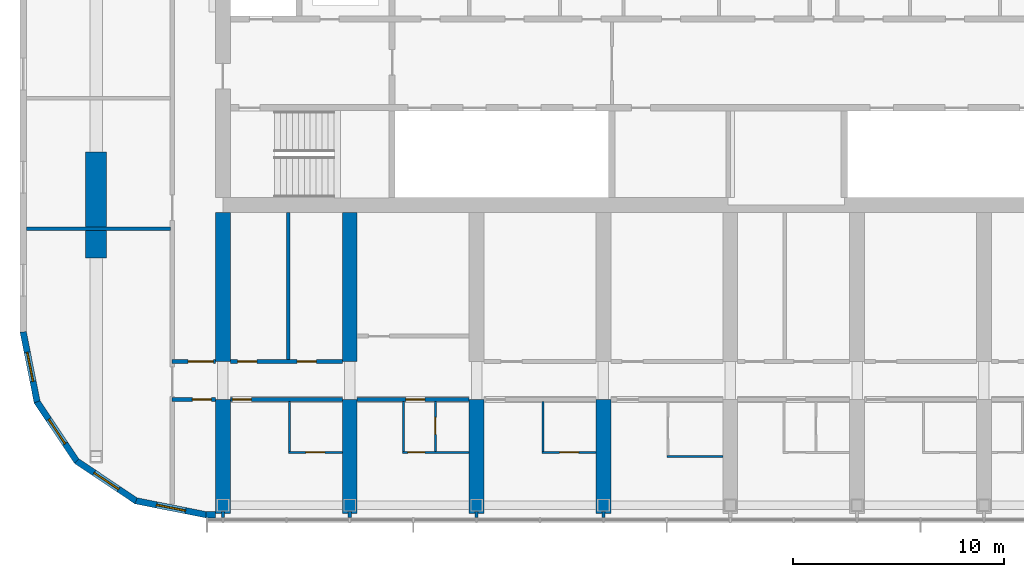
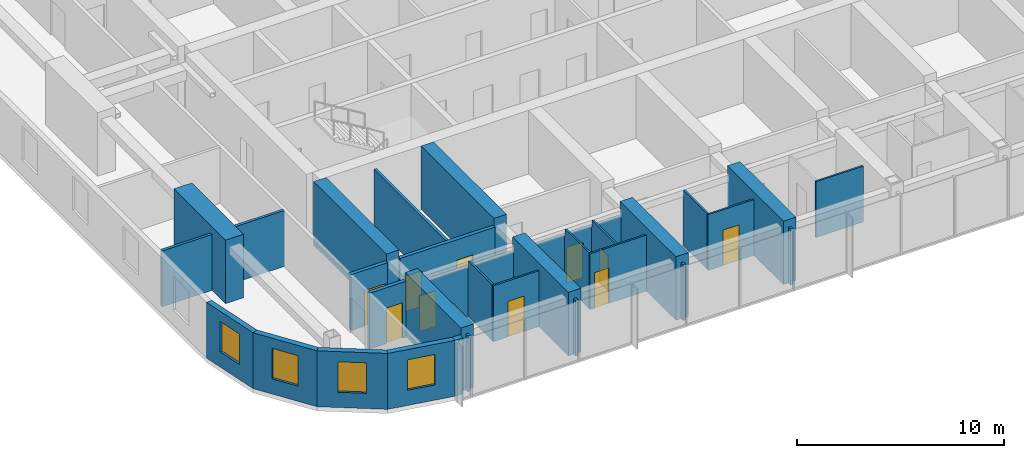
# One storey, part 10 of 23: 31 walls, 10 doors, 4 windows, 14 openings.
"""IFC4 building model written with IfcOpenShell, lengths in metres."""

from ifc_helpers import new_model, si_unit, direction, frame, frame_2d, origin, place, context, subcontext, project, spatial, polyline, rectangle, outline, extrude, material, layer, layer_set, type_object, element, fill, save


model = new_model("IFC4")

# Units and contexts
model_context = context("Model", 3, precision=1e-05, world=origin(), true_north=direction((0.0, 1.0)))
body_context = subcontext(model_context, "Body", "Model", "MODEL_VIEW")
ifc_project = project(units=[si_unit("LENGTHUNIT", "METRE"), si_unit("AREAUNIT", "SQUARE_METRE"), si_unit("VOLUMEUNIT", "CUBIC_METRE"), si_unit("PLANEANGLEUNIT", "RADIAN"), si_unit("MASSUNIT", "GRAM", prefix="KILO")], contexts=[model_context])

# Site, building, storey
site_placement = place(None, origin())
site = spatial("IfcSite", under=ifc_project, at=site_placement, CompositionType="ELEMENT")
building_placement = place(site_placement, origin())
building = spatial("IfcBuilding", under=site, at=building_placement, Name="Orbita Commons", CompositionType="ELEMENT")
storey_placement = place(building_placement, frame((0.0, 0.0, 212.800048828125)))
storey = spatial("IfcBuildingStorey", under=building, at=storey_placement, Name="L52", CompositionType="ELEMENT", Elevation=212.800048828125)

# Wall, opening, door
ifc_material_1 = material(Name="Concrete blockwork", Category="masonry")
ifc_layer_1 = layer(ifc_material_1, 0.199951171875)
ifc_layer_set_1 = layer_set([ifc_layer_1], Name="Concrete blockwork")
wall_type_1 = type_object("IfcWallType", Name="Corridor wall 200 blockwork", PredefinedType="SOLIDWALL", material=ifc_layer_set_1)
wall_1_placement = place(storey_placement, frame((15.60009765625, 16.60009765625, 0.0), z_axis=(0.0, 0.0, 1.0), x_axis=(1.0, 0.0, 0.0)))
wall_1 = element("IfcWall", 1, at=wall_1_placement, inside=storey, type_object=wall_type_1, Name="Corridor wall 200 blockwork L52", PredefinedType="SOLIDWALL", context=body_context, shape_type="SweptSolid", body=[
    extrude(rectangle(XDim=2.0498046875, YDim=0.199951171875, at=frame_2d((1.02490234375, 0.0))), origin(), (0.0, 0.0, 1.0), 3.300048828125),
])
opening_1_placement = place(wall_1_placement, frame((0.949951171875, 0.0, 0.0)))
opening_1 = element("IfcOpeningElement", 2, at=opening_1_placement, cuts=wall_1, Name="Opening D05", PredefinedType="OPENING", context=body_context, shape_type="SweptSolid", body=[
    extrude(rectangle(XDim=0.89990234375, YDim=2.10009765625, at=frame_2d((0.449951171875, 1.050048828125))), frame((0.0, 0.10986328125, 0.0), z_axis=(0.0, -1.0, 0.0), x_axis=(1.0, 0.0, 0.0)), (0.0, 0.0, 1.0), 0.219970703125),
])
ifc_material_2 = material(Name="Steel-faced fire door leaf", Category="steel")
door_type_1 = type_object("IfcDoorType", Name="Service door 20 min 900x2100", OperationType="SINGLE_SWING_LEFT", PredefinedType="DOOR", material=ifc_material_2)
door_1_placement = place(opening_1_placement, origin())
door_1 = element("IfcDoor", 3, at=door_1_placement, inside=storey, type_object=door_type_1, Name="Linen store L52-KWS door", OperationType="SINGLE_SWING_LEFT", OverallHeight=2.10009765625, OverallWidth=0.89990234375, PredefinedType="DOOR", context=body_context, shape_type="SweptSolid", body=[
    extrude(rectangle(XDim=0.89990234375, YDim=2.10009765625, at=frame_2d((0.449951171875, 1.050048828125))), frame((0.0, 0.02490234375, 0.0), z_axis=(0.0, -1.0, 0.0), x_axis=(1.0, 0.0, 0.0)), (0.0, 0.0, 1.0), 0.050048828125),
])
fill(opening_1, door_1)

wall_2_placement = place(storey_placement, frame((18.35009765625, 16.60009765625, 0.0), z_axis=(0.0, 0.0, 1.0), x_axis=(1.0, 0.0, 0.0)))
wall_2 = element("IfcWall", 4, at=wall_2_placement, inside=storey, type_object=wall_type_1, Name="Corridor wall 200 blockwork L52", PredefinedType="SOLIDWALL", context=body_context, shape_type="SweptSolid", body=[
    extrude(outline(polyline([(0.0, 0.0), (5.2998046875, 0.0), (5.300048828125, 2.89990234375), (0.0, 2.89990234375), (0.0, 0.0)])), frame((0.0, 0.10009765625, 0.0), z_axis=(0.0, -1.0, 0.0), x_axis=(1.0, 0.0, 0.0)), (0.0, 0.0, 1.0), 0.199951171875),
])
opening_2_placement = place(wall_2_placement, frame((0.10009765625, 0.0, 0.0)))
opening_2 = element("IfcOpeningElement", 5, at=opening_2_placement, cuts=wall_2, Name="Opening D11", PredefinedType="OPENING", context=body_context, shape_type="SweptSolid", body=[
    extrude(rectangle(XDim=0.89990234375, YDim=2.10009765625, at=frame_2d((0.449951171875, 1.050048828125))), frame((0.0, 0.10986328125, 0.0), z_axis=(0.0, -1.0, 0.0), x_axis=(1.0, 0.0, 0.0)), (0.0, 0.0, 1.0), 0.219970703125),
])
ifc_material_3 = material(Name="Steel-faced fire door leaf", Category="steel")
door_type_2 = type_object("IfcDoorType", Name="Corridor door 20 min 900x2100", OperationType="SINGLE_SWING_LEFT", PredefinedType="DOOR", material=ifc_material_3)
door_2_placement = place(opening_2_placement, origin())
door_2 = element("IfcDoor", 6, at=door_2_placement, inside=storey, type_object=door_type_2, Name="Studio apartment with kitchenette L52-S00 door", OperationType="SINGLE_SWING_LEFT", OverallHeight=2.10009765625, OverallWidth=0.89990234375, PredefinedType="DOOR", context=body_context, shape_type="SweptSolid", body=[
    extrude(rectangle(XDim=0.89990234375, YDim=2.10009765625, at=frame_2d((0.449951171875, 1.050048828125))), frame((0.0, 0.02490234375, 0.0), z_axis=(0.0, -1.0, 0.0), x_axis=(1.0, 0.0, 0.0)), (0.0, 0.0, 1.0), 0.050048828125),
])
fill(opening_2, door_2)

wall_3_placement = place(storey_placement, frame((24.35009765625, 16.60009765625, 0.0), z_axis=(0.0, 0.0, 1.0), x_axis=(1.0, 0.0, 0.0)))
wall_3 = element("IfcWall", 7, at=wall_3_placement, inside=storey, type_object=wall_type_1, Name="Corridor wall 200 blockwork L52", PredefinedType="SOLIDWALL", context=body_context, shape_type="SweptSolid", body=[
    extrude(outline(polyline([(0.0, 0.0), (5.2998046875, 0.0), (5.300048828125, 2.89990234375), (0.0, 2.89990234375), (0.0, 0.0)])), frame((0.0, 0.10009765625, 0.0), z_axis=(0.0, -1.0, 0.0), x_axis=(1.0, 0.0, 0.0)), (0.0, 0.0, 1.0), 0.199951171875),
])
opening_3_placement = place(wall_3_placement, frame((2.300048828125, 0.0, 0.0)))
opening_3 = element("IfcOpeningElement", 8, at=opening_3_placement, cuts=wall_3, Name="Opening D11", PredefinedType="OPENING", context=body_context, shape_type="SweptSolid", body=[
    extrude(rectangle(XDim=0.89990234375, YDim=2.10009765625, at=frame_2d((0.449951171875, 1.050048828125))), frame((0.0, 0.10986328125, 0.0), z_axis=(0.0, -1.0, 0.0), x_axis=(1.0, 0.0, 0.0)), (0.0, 0.0, 1.0), 0.219970703125),
])
door_3_placement = place(opening_3_placement, origin())
door_3 = element("IfcDoor", 9, at=door_3_placement, inside=storey, type_object=door_type_2, Name="Studio flat L52-S02 entrance door", OperationType="SINGLE_SWING_LEFT", OverallHeight=2.10009765625, OverallWidth=0.89990234375, PredefinedType="DOOR", context=body_context, shape_type="SweptSolid", body=[
    extrude(rectangle(XDim=0.89990234375, YDim=2.10009765625, at=frame_2d((0.449951171875, 1.050048828125))), frame((0.0, 0.02490234375, 0.0), z_axis=(0.0, -1.0, 0.0), x_axis=(1.0, 0.0, 0.0)), (0.0, 0.0, 1.0), 0.050048828125),
])
fill(opening_3, door_3)

ifc_material_4 = material(Name="Hollow concrete block 200", Category="concrete")
ifc_layer_2 = layer(ifc_material_4, 0.199951171875)
ifc_layer_set_2 = layer_set([ifc_layer_2], Name="Hollow concrete block 200")
wall_type_2 = type_object("IfcWallType", Name="Corridor wall 200 hollow concrete block", PredefinedType="SOLIDWALL", material=ifc_layer_set_2)
wall_4_placement = place(storey_placement, frame((15.60009765625, 18.39990234375, 0.0), z_axis=(0.0, 0.0, 1.0), x_axis=(1.0, 0.0, 0.0)))
wall_4 = element("IfcWall", 10, at=wall_4_placement, inside=storey, type_object=wall_type_2, Name="Corridor wall 200 hollow concrete block L52", PredefinedType="SOLIDWALL", context=body_context, shape_type="SweptSolid", body=[
    extrude(rectangle(XDim=2.0498046875, YDim=0.199951171875, at=frame_2d((1.02490234375, 0.0))), origin(), (0.0, 0.0, 1.0), 3.300048828125),
])
opening_4_placement = place(wall_4_placement, frame((0.75, 0.0, 0.0)))
opening_4 = element("IfcOpeningElement", 11, at=opening_4_placement, cuts=wall_4, Name="Opening D12", PredefinedType="OPENING", context=body_context, shape_type="SweptSolid", body=[
    extrude(rectangle(XDim=1.199951171875, YDim=2.10009765625, at=frame_2d((0.60009765625, 1.050048828125))), frame((0.0, 0.10986328125, 0.0), z_axis=(0.0, -1.0, 0.0), x_axis=(1.0, 0.0, 0.0)), (0.0, 0.0, 1.0), 0.219970703125),
])
ifc_material_5 = material(Name="Steel-faced fire door leaf", Category="steel")
door_type_3 = type_object("IfcDoorType", Name="Double corridor door 20 min 1200x2100", OperationType="DOUBLE_DOOR_SINGLE_SWING", PredefinedType="DOOR", material=ifc_material_5)
door_4_placement = place(opening_4_placement, origin())
door_4 = element("IfcDoor", 12, at=door_4_placement, inside=storey, type_object=door_type_3, Name="Cross corridor doors", OperationType="DOUBLE_DOOR_SINGLE_SWING", OverallHeight=2.10009765625, OverallWidth=1.199951171875, PredefinedType="DOOR", context=body_context, shape_type="SweptSolid", body=[
    extrude(rectangle(XDim=1.199951171875, YDim=2.10009765625, at=frame_2d((0.60009765625, 1.050048828125))), frame((0.0, 0.02490234375, 0.0), z_axis=(0.0, -1.0, 0.0), x_axis=(1.0, 0.0, 0.0)), (0.0, 0.0, 1.0), 0.050048828125),
])
fill(opening_4, door_4)

# Wall, openings, doors
wall_5_placement = place(storey_placement, frame((18.35009765625, 18.39990234375, 0.0), z_axis=(0.0, 0.0, 1.0), x_axis=(1.0, 0.0, 0.0)))
wall_5 = element("IfcWall", 13, at=wall_5_placement, inside=storey, type_object=wall_type_2, Name="Corridor wall 200 hollow concrete block L52", PredefinedType="SOLIDWALL", context=body_context, shape_type="SweptSolid", body=[
    extrude(rectangle(XDim=5.2998046875, YDim=0.199951171875, at=frame_2d((2.64990234375, 0.0))), origin(), (0.0, 0.0, 1.0), 3.300048828125),
])
opening_5_placement = place(wall_5_placement, frame((0.35009765625, 0.0, 0.0)))
opening_5 = element("IfcOpeningElement", 14, at=opening_5_placement, cuts=wall_5, Name="Opening D11", PredefinedType="OPENING", context=body_context, shape_type="SweptSolid", body=[
    extrude(rectangle(XDim=0.89990234375, YDim=2.10009765625, at=frame_2d((0.449951171875, 1.050048828125))), frame((0.0, 0.10986328125, 0.0), z_axis=(0.0, -1.0, 0.0), x_axis=(1.0, 0.0, 0.0)), (0.0, 0.0, 1.0), 0.219970703125),
])
opening_6_placement = place(wall_5_placement, frame((3.1650390625, 0.0, 0.0)))
opening_6 = element("IfcOpeningElement", 15, at=opening_6_placement, cuts=wall_5, Name="Opening D11", PredefinedType="OPENING", context=body_context, shape_type="SweptSolid", body=[
    extrude(rectangle(XDim=0.89990234375, YDim=2.10009765625, at=frame_2d((0.449951171875, 1.050048828125))), frame((0.0, 0.10986328125, 0.0), z_axis=(0.0, -1.0, 0.0), x_axis=(1.0, 0.0, 0.0)), (0.0, 0.0, 1.0), 0.219970703125),
])
door_5_placement = place(opening_5_placement, origin())
door_5 = element("IfcDoor", 16, at=door_5_placement, inside=storey, type_object=door_type_2, Name="Accessible WC and shower room L52-BDS18n door", OperationType="SINGLE_SWING_LEFT", OverallHeight=2.10009765625, OverallWidth=0.89990234375, PredefinedType="DOOR", context=body_context, shape_type="SweptSolid", body=[
    extrude(rectangle(XDim=0.89990234375, YDim=2.10009765625, at=frame_2d((0.449951171875, 1.050048828125))), frame((0.0, 0.02490234375, 0.0), z_axis=(0.0, -1.0, 0.0), x_axis=(1.0, 0.0, 0.0)), (0.0, 0.0, 1.0), 0.050048828125),
])
fill(opening_5, door_5)
door_6_placement = place(opening_6_placement, origin())
door_6 = element("IfcDoor", 17, at=door_6_placement, inside=storey, type_object=door_type_2, Name="Meeting room L52-BDS18 door", OperationType="SINGLE_SWING_LEFT", OverallHeight=2.10009765625, OverallWidth=0.89990234375, PredefinedType="DOOR", context=body_context, shape_type="SweptSolid", body=[
    extrude(rectangle(XDim=0.89990234375, YDim=2.10009765625, at=frame_2d((0.449951171875, 1.050048828125))), frame((0.0, 0.02490234375, 0.0), z_axis=(0.0, -1.0, 0.0), x_axis=(1.0, 0.0, 0.0)), (0.0, 0.0, 1.0), 0.050048828125),
])
fill(opening_6, door_6)

# Walls
ifc_material_6 = material(Name="Concrete C50/60", Category="concrete")
ifc_layer_3 = layer(ifc_material_6, 0.699951171875)
ifc_layer_set_3 = layer_set([ifc_layer_3], Name="Concrete C50/60")
wall_type_3 = type_object("IfcWallType", Name="Cross wall 700 C50/60", PredefinedType="SHEAR", material=ifc_layer_set_3)
wall_6_placement = place(storey_placement, frame((18.0, 11.199951171875, 0.0), z_axis=(0.0, 0.0, 1.0), x_axis=(0.0, 1.0, 0.0)))
element("IfcWall", 18, at=wall_6_placement, inside=storey, type_object=wall_type_3, Name="Cross wall 4 south outer L52", PredefinedType="SHEAR", context=body_context, shape_type="SweptSolid", body=[
    extrude(rectangle(XDim=5.400146484375, YDim=0.699951171875, at=frame_2d((2.7001953125, 0.0))), origin(), (0.0, 0.0, 1.0), 3.75),
])
wall_7_placement = place(storey_placement, frame((18.0, 18.39990234375, 0.0), z_axis=(0.0, 0.0, 1.0), x_axis=(0.0, 1.0, 0.0)))
element("IfcWall", 19, at=wall_7_placement, inside=storey, type_object=wall_type_3, Name="Cross wall 4 south inner L52", PredefinedType="SHEAR", context=body_context, shape_type="SweptSolid", body=[
    extrude(rectangle(XDim=7.050048828125, YDim=0.699951171875, at=frame_2d((3.52490234375, 0.0))), origin(), (0.0, 0.0, 1.0), 3.75),
])
wall_8_placement = place(storey_placement, frame((24.0, 11.199951171875, 0.0), z_axis=(0.0, 0.0, 1.0), x_axis=(0.0, 1.0, 0.0)))
element("IfcWall", 20, at=wall_8_placement, inside=storey, type_object=wall_type_3, Name="Cross wall 5 south outer L52", PredefinedType="SHEAR", context=body_context, shape_type="SweptSolid", body=[
    extrude(rectangle(XDim=5.400146484375, YDim=0.699951171875, at=frame_2d((2.7001953125, 0.0))), origin(), (0.0, 0.0, 1.0), 3.75),
])
wall_9_placement = place(storey_placement, frame((24.0, 18.39990234375, 0.0), z_axis=(0.0, 0.0, 1.0), x_axis=(0.0, 1.0, 0.0)))
element("IfcWall", 21, at=wall_9_placement, inside=storey, type_object=wall_type_3, Name="Cross wall 5 south inner L52", PredefinedType="SHEAR", context=body_context, shape_type="SweptSolid", body=[
    extrude(rectangle(XDim=7.050048828125, YDim=0.699951171875, at=frame_2d((3.52490234375, 0.0))), origin(), (0.0, 0.0, 1.0), 3.75),
])
for number, where, z_axis, x_axis, name in (
    (22, (30.0, 11.199951171875, 0.0), (0.0, 0.0, 1.0), (0.0, 1.0, 0.0), "Cross wall 6 south outer L52"),
    (23, (36.0, 11.199951171875, 0.0), (0.0, 0.0, 1.0), (0.0, 1.0, 0.0), "Cross wall 7 south outer L52"),
):
    element("IfcWall", number, at=place(storey_placement, frame(where, z_axis=z_axis, x_axis=x_axis)), inside=storey, type_object=wall_type_3, Name=name, PredefinedType="SHEAR", context=body_context, shape_type="SweptSolid", body=[
        extrude(rectangle(XDim=5.400146484375, YDim=0.699951171875, at=frame_2d((2.7001953125, 0.0))), origin(), (0.0, 0.0, 1.0), 3.75),
    ])

# Wall, opening, door
ifc_material_7 = material(Name="Moisture-resistant plasterboard on steel studs", Category="steel")
ifc_layer_4 = layer(ifc_material_7, 0.10009765625)
ifc_layer_set_4 = layer_set([ifc_layer_4], Name="Moisture-resistant plasterboard on steel studs")
wall_type_4 = type_object("IfcWallType", Name="En-suite partition 100", PredefinedType="PARTITIONING", material=ifc_layer_set_4)
wall_10_placement = place(storey_placement, frame((23.64990234375, 14.10009765625, 0.0), z_axis=(0.0, 0.0, 1.0), x_axis=(-1.0, 0.0, 0.0)))
wall_10 = element("IfcWall", 24, at=wall_10_placement, inside=storey, type_object=wall_type_4, Name="En-suite partition 100 L52", PredefinedType="PARTITIONING", context=body_context, shape_type="SweptSolid", body=[
    extrude(rectangle(XDim=2.5498046875, YDim=0.10009765625, at=frame_2d((1.27490234375, 0.0))), origin(), (0.0, 0.0, 1.0), 3.300048828125),
])
opening_7_placement = place(wall_10_placement, frame((0.824951171875, 0.0, 0.0)))
opening_7 = element("IfcOpeningElement", 25, at=opening_7_placement, cuts=wall_10, Name="Opening D09", PredefinedType="OPENING", context=body_context, shape_type="SweptSolid", body=[
    extrude(rectangle(XDim=0.89990234375, YDim=2.10009765625, at=frame_2d((0.449951171875, 1.050048828125))), frame((0.0, 0.06005859375, 0.0), z_axis=(0.0, -1.0, 0.0), x_axis=(1.0, 0.0, 0.0)), (0.0, 0.0, 1.0), 0.1201171875),
])
ifc_material_8 = material(Name="Laminated timber door leaf", Category="wood")
door_type_4 = type_object("IfcDoorType", Name="En-suite door 900x2100", OperationType="SINGLE_SWING_RIGHT", PredefinedType="DOOR", material=ifc_material_8)
door_7_placement = place(opening_7_placement, origin())
door_7 = element("IfcDoor", 26, at=door_7_placement, inside=storey, type_object=door_type_4, Name="En-suite L52-S00 door", OperationType="SINGLE_SWING_RIGHT", OverallHeight=2.10009765625, OverallWidth=0.89990234375, PredefinedType="DOOR", context=body_context, shape_type="SweptSolid", body=[
    extrude(rectangle(XDim=0.89990234375, YDim=2.10009765625, at=frame_2d((0.449951171875, 1.050048828125))), frame((0.0, 0.02490234375, 0.0), z_axis=(0.0, -1.0, 0.0), x_axis=(1.0, 0.0, 0.0)), (0.0, 0.0, 1.0), 0.050048828125),
])
fill(opening_7, door_7)

# Wall
wall_11_placement = place(storey_placement, frame((21.14990234375, 14.14990234375, 0.0), z_axis=(0.0, 0.0, 1.0), x_axis=(0.0, 1.0, 0.0)))
element("IfcWall", 27, at=wall_11_placement, inside=storey, type_object=wall_type_4, Name="En-suite partition 100 L52", PredefinedType="PARTITIONING", context=body_context, shape_type="SweptSolid", body=[
    extrude(outline(polyline([(0.0, 0.0), (2.35009765625, 0.0), (2.35009765625, 2.89990234375), (2.302001953125, 2.89990234375), (2.300048828125, 3.300048828125), (0.0, 3.300048828125), (0.0, 0.0)])), frame((0.0, 0.050048828125, 0.0), z_axis=(0.0, -1.0, 0.0), x_axis=(1.0, 0.0, 0.0)), (0.0, 0.0, 1.0), 0.10009765625),
])

# Wall, opening, door
wall_12_placement = place(storey_placement, frame((29.64990234375, 14.10009765625, 0.0), z_axis=(0.0, 0.0, 1.0), x_axis=(-1.0, 0.0, 0.0)))
wall_12 = element("IfcWall", 28, at=wall_12_placement, inside=storey, type_object=wall_type_4, Name="En-suite partition 100 L52", PredefinedType="PARTITIONING", context=body_context, shape_type="SweptSolid", body=[
    extrude(rectangle(XDim=3.14990234375, YDim=0.10009765625, at=frame_2d((1.574951171875, 0.0))), origin(), (0.0, 0.0, 1.0), 3.300048828125),
])
opening_8_placement = place(wall_12_placement, frame((2.10009765625, 0.0, 0.0)))
opening_8 = element("IfcOpeningElement", 29, at=opening_8_placement, cuts=wall_12, Name="Opening D16", PredefinedType="OPENING", context=body_context, shape_type="SweptSolid", body=[
    extrude(rectangle(XDim=0.800048828125, YDim=2.10009765625, at=frame_2d((0.39990234375, 1.050048828125))), frame((0.0, 0.06005859375, 0.0), z_axis=(0.0, -1.0, 0.0), x_axis=(1.0, 0.0, 0.0)), (0.0, 0.0, 1.0), 0.1201171875),
])
ifc_material_9 = material(Name="Laminated timber door leaf", Category="wood")
door_type_5 = type_object("IfcDoorType", Name="En-suite door 800x2100", OperationType="SINGLE_SWING_RIGHT", PredefinedType="DOOR", material=ifc_material_9)
door_8_placement = place(opening_8_placement, origin())
door_8 = element("IfcDoor", 30, at=door_8_placement, inside=storey, type_object=door_type_5, Name="Studio flat L52-S02 door", OperationType="SINGLE_SWING_RIGHT", OverallHeight=2.10009765625, OverallWidth=0.800048828125, PredefinedType="DOOR", context=body_context, shape_type="SweptSolid", body=[
    extrude(rectangle(XDim=0.800048828125, YDim=2.10009765625, at=frame_2d((0.39990234375, 1.050048828125))), frame((0.0, 0.02490234375, 0.0), z_axis=(0.0, -1.0, 0.0), x_axis=(1.0, 0.0, 0.0)), (0.0, 0.0, 1.0), 0.050048828125),
])
fill(opening_8, door_8)

# Wall
wall_13_placement = place(storey_placement, frame((26.550048828125, 14.14990234375, 0.0), z_axis=(0.0, 0.0, 1.0), x_axis=(0.0, 1.0, 0.0)))
element("IfcWall", 31, at=wall_13_placement, inside=storey, type_object=wall_type_4, Name="En-suite partition 100 L52", PredefinedType="PARTITIONING", context=body_context, shape_type="SweptSolid", body=[
    extrude(outline(polyline([(0.0, 0.0), (2.35009765625, 0.0), (2.35009765625, 2.89990234375), (2.302001953125, 2.89990234375), (2.300048828125, 3.300048828125), (0.0, 3.300048828125), (0.0, 0.0)])), frame((0.0, 0.050048828125, 0.0), z_axis=(0.0, -1.0, 0.0), x_axis=(1.0, 0.0, 0.0)), (0.0, 0.0, 1.0), 0.10009765625),
])

# Wall, opening, door
wall_14_placement = place(storey_placement, frame((28.050048828125, 14.14990234375, 0.0), z_axis=(0.0, 0.0, 1.0), x_axis=(0.0, 1.0, 0.0)))
wall_14 = element("IfcWall", 32, at=wall_14_placement, inside=storey, type_object=wall_type_4, Name="En-suite partition 100 L52", PredefinedType="PARTITIONING", context=body_context, shape_type="SweptSolid", body=[
    extrude(outline(polyline([(0.0, 0.0), (2.35009765625, 0.0), (2.35009765625, 2.89990234375), (2.302001953125, 2.89990234375), (2.300048828125, 3.300048828125), (0.0, 3.300048828125), (0.0, 0.0)])), frame((0.0, 0.050048828125, 0.0), z_axis=(0.0, -1.0, 0.0), x_axis=(1.0, 0.0, 0.0)), (0.0, 0.0, 1.0), 0.10009765625),
])
opening_9_placement = place(wall_14_placement, frame((0.800048828125, 0.0, 0.0)))
opening_9 = element("IfcOpeningElement", 33, at=opening_9_placement, cuts=wall_14, Name="Opening D16", PredefinedType="OPENING", context=body_context, shape_type="SweptSolid", body=[
    extrude(rectangle(XDim=0.800048828125, YDim=2.10009765625, at=frame_2d((0.39990234375, 1.050048828125))), frame((0.0, 0.06005859375, 0.0), z_axis=(0.0, -1.0, 0.0), x_axis=(1.0, 0.0, 0.0)), (0.0, 0.0, 1.0), 0.1201171875),
])
door_9_placement = place(opening_9_placement, origin())
door_9 = element("IfcDoor", 34, at=door_9_placement, inside=storey, type_object=door_type_5, Name="Studio flat shower room L52-S02 door", OperationType="SINGLE_SWING_RIGHT", OverallHeight=2.10009765625, OverallWidth=0.800048828125, PredefinedType="DOOR", context=body_context, shape_type="SweptSolid", body=[
    extrude(rectangle(XDim=0.800048828125, YDim=2.10009765625, at=frame_2d((0.39990234375, 1.050048828125))), frame((0.0, 0.02490234375, 0.0), z_axis=(0.0, -1.0, 0.0), x_axis=(1.0, 0.0, 0.0)), (0.0, 0.0, 1.0), 0.050048828125),
])
fill(opening_9, door_9)

wall_15_placement = place(storey_placement, frame((35.64990234375, 14.10009765625, 0.0), z_axis=(0.0, 0.0, 1.0), x_axis=(-1.0, 0.0, 0.0)))
wall_15 = element("IfcWall", 35, at=wall_15_placement, inside=storey, type_object=wall_type_4, Name="En-suite partition 100 L52", PredefinedType="PARTITIONING", context=body_context, shape_type="SweptSolid", body=[
    extrude(rectangle(XDim=2.5498046875, YDim=0.10009765625, at=frame_2d((1.27490234375, 0.0))), origin(), (0.0, 0.0, 1.0), 3.300048828125),
])
opening_10_placement = place(wall_15_placement, frame((0.824951171875, 0.0, 0.0)))
opening_10 = element("IfcOpeningElement", 36, at=opening_10_placement, cuts=wall_15, Name="Opening D09", PredefinedType="OPENING", context=body_context, shape_type="SweptSolid", body=[
    extrude(rectangle(XDim=0.89990234375, YDim=2.10009765625, at=frame_2d((0.449951171875, 1.050048828125))), frame((0.0, 0.06005859375, 0.0), z_axis=(0.0, -1.0, 0.0), x_axis=(1.0, 0.0, 0.0)), (0.0, 0.0, 1.0), 0.1201171875),
])
door_10_placement = place(opening_10_placement, origin())
door_10 = element("IfcDoor", 37, at=door_10_placement, inside=storey, type_object=door_type_4, Name="En-suite L52-S04 door", OperationType="SINGLE_SWING_RIGHT", OverallHeight=2.10009765625, OverallWidth=0.89990234375, PredefinedType="DOOR", context=body_context, shape_type="SweptSolid", body=[
    extrude(rectangle(XDim=0.89990234375, YDim=2.10009765625, at=frame_2d((0.449951171875, 1.050048828125))), frame((0.0, 0.02490234375, 0.0), z_axis=(0.0, -1.0, 0.0), x_axis=(1.0, 0.0, 0.0)), (0.0, 0.0, 1.0), 0.050048828125),
])
fill(opening_10, door_10)

# Walls
wall_16_placement = place(storey_placement, frame((33.14990234375, 14.14990234375, 0.0), z_axis=(0.0, 0.0, 1.0), x_axis=(0.0, 1.0, 0.0)))
element("IfcWall", 38, at=wall_16_placement, inside=storey, type_object=wall_type_4, Name="En-suite partition 100 L52", PredefinedType="PARTITIONING", context=body_context, shape_type="SweptSolid", body=[
    extrude(outline(polyline([(0.0, 0.0), (2.35009765625, 0.0), (2.35009765625, 2.89990234375), (2.302001953125, 2.89990234375), (2.300048828125, 3.300048828125), (0.0, 3.300048828125), (0.0, 0.0)])), frame((0.0, 0.050048828125, 0.0), z_axis=(0.0, -1.0, 0.0), x_axis=(1.0, 0.0, 0.0)), (0.0, 0.0, 1.0), 0.10009765625),
])
wall_17_placement = place(storey_placement, frame((39.0, 13.89990234375, 0.0), z_axis=(0.0, 0.0, 1.0), x_axis=(1.0, 0.0, 0.0)))
element("IfcWall", 39, at=wall_17_placement, inside=storey, type_object=wall_type_4, Name="En-suite partition 100 L52", PredefinedType="PARTITIONING", context=body_context, shape_type="SweptSolid", body=[
    extrude(rectangle(XDim=2.64990234375, YDim=0.10009765625, at=frame_2d((1.324951171875, 0.0))), origin(), (0.0, 0.0, 1.0), 3.300048828125),
])
ifc_material_10 = material(Name="Concrete C50/60", Category="concrete")
ifc_layer_5 = layer(ifc_material_10, 1.0)
ifc_layer_set_5 = layer_set([ifc_layer_5], Name="Concrete C50/60")
wall_type_5 = type_object("IfcWallType", Name="End pier 1000x5000 C50/60", PredefinedType="SHEAR", material=ifc_layer_set_5)
wall_18_placement = place(storey_placement, frame((12.0, 23.300048828125, 0.0), z_axis=(0.0, 0.0, 1.0), x_axis=(0.0, 1.0, 0.0)))
element("IfcWall", 40, at=wall_18_placement, inside=storey, type_object=wall_type_5, Name="End pier 3/C L52", PredefinedType="SHEAR", context=body_context, shape_type="SweptSolid", body=[
    extrude(rectangle(XDim=5.0, YDim=1.0, at=frame_2d((2.5, 0.0))), origin(), (0.0, 0.0, 1.0), 3.75),
])
ifc_material_11 = material(Name="Gypsum plasterboard on steel studs", Category="steel")
ifc_layer_6 = layer(ifc_material_11, 0.14990234375)
ifc_layer_set_6 = layer_set([ifc_layer_6], Name="Gypsum plasterboard on steel studs")
wall_type_6 = type_object("IfcWallType", Name="Partition 150 plasterboard", PredefinedType="PARTITIONING", material=ifc_layer_set_6)
wall_19_placement = place(storey_placement, frame((21.090087890625, 18.5, 0.0), z_axis=(0.0, 0.0, 1.0), x_axis=(0.0, 1.0, 0.0)))
element("IfcWall", 41, at=wall_19_placement, inside=storey, type_object=wall_type_6, Name="Partition 150 plasterboard L52", PredefinedType="PARTITIONING", context=body_context, shape_type="SweptSolid", body=[
    extrude(rectangle(XDim=6.949951171875, YDim=0.14990234375, at=frame_2d((3.47509765625, 0.0))), origin(), (0.0, 0.0, 1.0), 3.300048828125),
])
wall_20_placement = place(storey_placement, frame((8.705078125, 24.679931640625, 0.0), z_axis=(0.0, 0.0, 1.0), x_axis=(1.0, 0.0, 0.0)))
element("IfcWall", 42, at=wall_20_placement, inside=storey, type_object=wall_type_6, Name="Partition 150 plasterboard L52", PredefinedType="PARTITIONING", context=body_context, shape_type="SweptSolid", body=[
    extrude(rectangle(XDim=6.81982421875, YDim=0.14990234375, at=frame_2d((3.409912109375, 0.0))), origin(), (0.0, 0.0, 1.0), 3.300048828125),
])
for number, where, z_axis, x_axis, name in (
    (43, (18.0, 11.300048828125, 0.0), (0.0, 0.0, 1.0), (0.0, -1.0, 0.0), "Partition 150 plasterboard L52"),
    (44, (24.0, 11.300048828125, 0.0), (0.0, 0.0, 1.0), (0.0, -1.0, 0.0), "Partition 150 plasterboard L52"),
    (45, (30.0, 11.300048828125, 0.0), (0.0, 0.0, 1.0), (0.0, -1.0, 0.0), "Partition 150 plasterboard L52"),
    (46, (36.0, 11.300048828125, 0.0), (0.0, 0.0, 1.0), (0.0, -1.0, 0.0), "Partition 150 plasterboard L52"),
):
    element("IfcWall", number, at=place(storey_placement, frame(where, z_axis=z_axis, x_axis=x_axis)), inside=storey, type_object=wall_type_6, Name=name, PredefinedType="PARTITIONING", context=body_context, shape_type="SweptSolid", body=[
        extrude(rectangle(XDim=0.2900390625, YDim=0.14990234375, at=frame_2d((0.14501953125, 0.0))), origin(), (0.0, 0.0, 1.0), 3.300048828125),
    ])

# Wall, opening, window
ifc_material_12 = material(Name="Precast concrete C40/50, white board-marked finish", Category="concrete")
ifc_layer_7 = layer(ifc_material_12, 0.300048828125)
ifc_layer_set_7 = layer_set([ifc_layer_7], Name="Precast concrete C40/50, white board-marked finish")
wall_type_7 = type_object("IfcWallType", Name="Precast concrete end shield 300", PredefinedType="SOLIDWALL", material=ifc_layer_set_7)
wall_21_placement = place(storey_placement, frame((8.550048828125, 19.800048828125, 0.0), z_axis=(0.0, 0.0, 1.0), x_axis=(0.19508664885, -0.980786011034, 0.0)))
wall_21 = element("IfcWall", 47, at=wall_21_placement, inside=storey, type_object=wall_type_7, Name="End shield SW chord 1 L52", PredefinedType="SOLIDWALL", context=body_context, shape_type="SweptSolid", body=[
    extrude(outline(polyline([(-0.014892578125, -0.14990234375), (3.405029296875, -0.14990234375), (3.345458984375, 0.14990234375), (0.014892578125, 0.14990234375), (-0.014892578125, -0.14990234375)])), origin(), (0.0, 0.0, 1.0), 3.300048828125),
])
opening_11_placement = place(wall_21_placement, frame((0.987548828125, 0.0, 0.89990234375)))
opening_11 = element("IfcOpeningElement", 48, at=opening_11_placement, cuts=wall_21, Name="Opening W02", PredefinedType="OPENING", context=body_context, shape_type="SweptSolid", body=[
    extrude(rectangle(XDim=1.39990234375, YDim=1.800048828125, at=frame_2d((0.699951171875, 0.89990234375))), frame((0.0, 0.159912109375, 0.0), z_axis=(0.0, -1.0, 0.0), x_axis=(1.0, 0.0, 0.0)), (0.0, 0.0, 1.0), 0.320068359375),
])
ifc_material_13 = material(Name="Aluminium frame, clear double glazing", Category="aluminium")
window_type = type_object("IfcWindowType", Name="Deep-set window 1400x1800", PartitioningType="SINGLE_PANEL", PredefinedType="WINDOW", material=ifc_material_13)
window_1_placement = place(opening_11_placement, origin())
window_1 = element("IfcWindow", 49, at=window_1_placement, inside=storey, type_object=window_type, Name="Window L52-SW0", OverallHeight=1.800048828125, OverallWidth=1.39990234375, PartitioningType="SINGLE_PANEL", PredefinedType="WINDOW", context=body_context, shape_type="SweptSolid", body=[
    extrude(rectangle(XDim=1.39990234375, YDim=1.800048828125, at=frame_2d((0.699951171875, 0.89990234375))), frame((0.0, 0.030029296875, 0.0), z_axis=(0.0, -1.0, 0.0), x_axis=(1.0, 0.0, 0.0)), (0.0, 0.0, 1.0), 0.06005859375),
])
fill(opening_11, window_1)

wall_22_placement = place(storey_placement, frame((9.20849609375, 16.48974609375, 0.0), z_axis=(0.0, 0.0, 1.0), x_axis=(0.555567969291, -0.831471124873, 0.0)))
wall_22 = element("IfcWall", 50, at=wall_22_placement, inside=storey, type_object=wall_type_7, Name="End shield SW chord 2 L52", PredefinedType="SOLIDWALL", context=body_context, shape_type="SweptSolid", body=[
    extrude(outline(polyline([(-0.02978515625, -0.14990234375), (3.40478515625, -0.14990234375), (3.34521484375, 0.14990234375), (0.02978515625, 0.14990234375), (-0.02978515625, -0.14990234375)])), origin(), (0.0, 0.0, 1.0), 3.300048828125),
])
opening_12_placement = place(wall_22_placement, frame((0.987548828125, 0.0, 0.89990234375)))
opening_12 = element("IfcOpeningElement", 51, at=opening_12_placement, cuts=wall_22, Name="Opening W02", PredefinedType="OPENING", context=body_context, shape_type="SweptSolid", body=[
    extrude(rectangle(XDim=1.39990234375, YDim=1.800048828125, at=frame_2d((0.699951171875, 0.89990234375))), frame((0.0, 0.159912109375, 0.0), z_axis=(0.0, -1.0, 0.0), x_axis=(1.0, 0.0, 0.0)), (0.0, 0.0, 1.0), 0.320068359375),
])
window_2_placement = place(opening_12_placement, origin())
window_2 = element("IfcWindow", 52, at=window_2_placement, inside=storey, type_object=window_type, Name="Window L52-SW1", OverallHeight=1.800048828125, OverallWidth=1.39990234375, PartitioningType="SINGLE_PANEL", PredefinedType="WINDOW", context=body_context, shape_type="SweptSolid", body=[
    extrude(rectangle(XDim=1.39990234375, YDim=1.800048828125, at=frame_2d((0.699951171875, 0.89990234375))), frame((0.0, 0.030029296875, 0.0), z_axis=(0.0, -1.0, 0.0), x_axis=(1.0, 0.0, 0.0)), (0.0, 0.0, 1.0), 0.06005859375),
])
fill(opening_12, window_2)

wall_23_placement = place(storey_placement, frame((11.08349609375, 13.68359375, 0.0), z_axis=(0.0, 0.0, 1.0), x_axis=(0.831460037396, -0.555584562613, 0.0)))
wall_23 = element("IfcWall", 53, at=wall_23_placement, inside=storey, type_object=wall_type_7, Name="End shield SW chord 3 L52", PredefinedType="SOLIDWALL", context=body_context, shape_type="SweptSolid", body=[
    extrude(outline(polyline([(-0.02978515625, -0.14990234375), (3.405029296875, -0.14990234375), (3.345458984375, 0.14990234375), (0.02978515625, 0.14990234375), (-0.02978515625, -0.14990234375)])), origin(), (0.0, 0.0, 1.0), 3.300048828125),
])
opening_13_placement = place(wall_23_placement, frame((0.987548828125, 0.0, 0.89990234375)))
opening_13 = element("IfcOpeningElement", 54, at=opening_13_placement, cuts=wall_23, Name="Opening W02", PredefinedType="OPENING", context=body_context, shape_type="SweptSolid", body=[
    extrude(rectangle(XDim=1.39990234375, YDim=1.800048828125, at=frame_2d((0.699951171875, 0.89990234375))), frame((0.0, 0.159912109375, 0.0), z_axis=(0.0, -1.0, 0.0), x_axis=(1.0, 0.0, 0.0)), (0.0, 0.0, 1.0), 0.320068359375),
])
window_3_placement = place(opening_13_placement, origin())
window_3 = element("IfcWindow", 55, at=window_3_placement, inside=storey, type_object=window_type, Name="Window L52-SW2", OverallHeight=1.800048828125, OverallWidth=1.39990234375, PartitioningType="SINGLE_PANEL", PredefinedType="WINDOW", context=body_context, shape_type="SweptSolid", body=[
    extrude(rectangle(XDim=1.39990234375, YDim=1.800048828125, at=frame_2d((0.699951171875, 0.89990234375))), frame((0.0, 0.030029296875, 0.0), z_axis=(0.0, -1.0, 0.0), x_axis=(1.0, 0.0, 0.0)), (0.0, 0.0, 1.0), 0.06005859375),
])
fill(opening_13, window_3)

wall_24_placement = place(storey_placement, frame((13.889892578125, 11.808349609375, 0.0), z_axis=(0.0, 0.0, 1.0), x_axis=(0.98078325777, -0.195100490205, 0.0)))
wall_24 = element("IfcWall", 56, at=wall_24_placement, inside=storey, type_object=wall_type_7, Name="End shield SW chord 4 L52", PredefinedType="SOLIDWALL", context=body_context, shape_type="SweptSolid", body=[
    extrude(outline(polyline([(-0.02978515625, -0.14990234375), (3.40478515625, -0.14990234375), (3.34521484375, 0.14990234375), (0.02978515625, 0.14990234375), (-0.02978515625, -0.14990234375)])), origin(), (0.0, 0.0, 1.0), 3.300048828125),
])
opening_14_placement = place(wall_24_placement, frame((0.987548828125, 0.0, 0.89990234375)))
opening_14 = element("IfcOpeningElement", 57, at=opening_14_placement, cuts=wall_24, Name="Opening W02", PredefinedType="OPENING", context=body_context, shape_type="SweptSolid", body=[
    extrude(rectangle(XDim=1.39990234375, YDim=1.800048828125, at=frame_2d((0.699951171875, 0.89990234375))), frame((0.0, 0.159912109375, 0.0), z_axis=(0.0, -1.0, 0.0), x_axis=(1.0, 0.0, 0.0)), (0.0, 0.0, 1.0), 0.320068359375),
])
window_4_placement = place(opening_14_placement, origin())
window_4 = element("IfcWindow", 58, at=window_4_placement, inside=storey, type_object=window_type, Name="Window L52-SW3", OverallHeight=1.800048828125, OverallWidth=1.39990234375, PartitioningType="SINGLE_PANEL", PredefinedType="WINDOW", context=body_context, shape_type="SweptSolid", body=[
    extrude(rectangle(XDim=1.39990234375, YDim=1.800048828125, at=frame_2d((0.699951171875, 0.89990234375))), frame((0.0, 0.030029296875, 0.0), z_axis=(0.0, -1.0, 0.0), x_axis=(1.0, 0.0, 0.0)), (0.0, 0.0, 1.0), 0.06005859375),
])
fill(opening_14, window_4)

# Wall
wall_25_placement = place(storey_placement, frame((17.199951171875, 11.14990234375, 0.0), z_axis=(0.0, 0.0, 1.0), x_axis=(1.0, 0.0, 0.0)))
element("IfcWall", 59, at=wall_25_placement, inside=storey, type_object=wall_type_7, Name="End shield SW closer L52", PredefinedType="SOLIDWALL", context=body_context, shape_type="SweptSolid", body=[
    extrude(rectangle(XDim=0.449951171875, YDim=0.300048828125, at=frame_2d((0.22509765625, 0.0))), origin(), (0.0, 0.0, 1.0), 3.300048828125),
])

save(model, "model.ifc")
